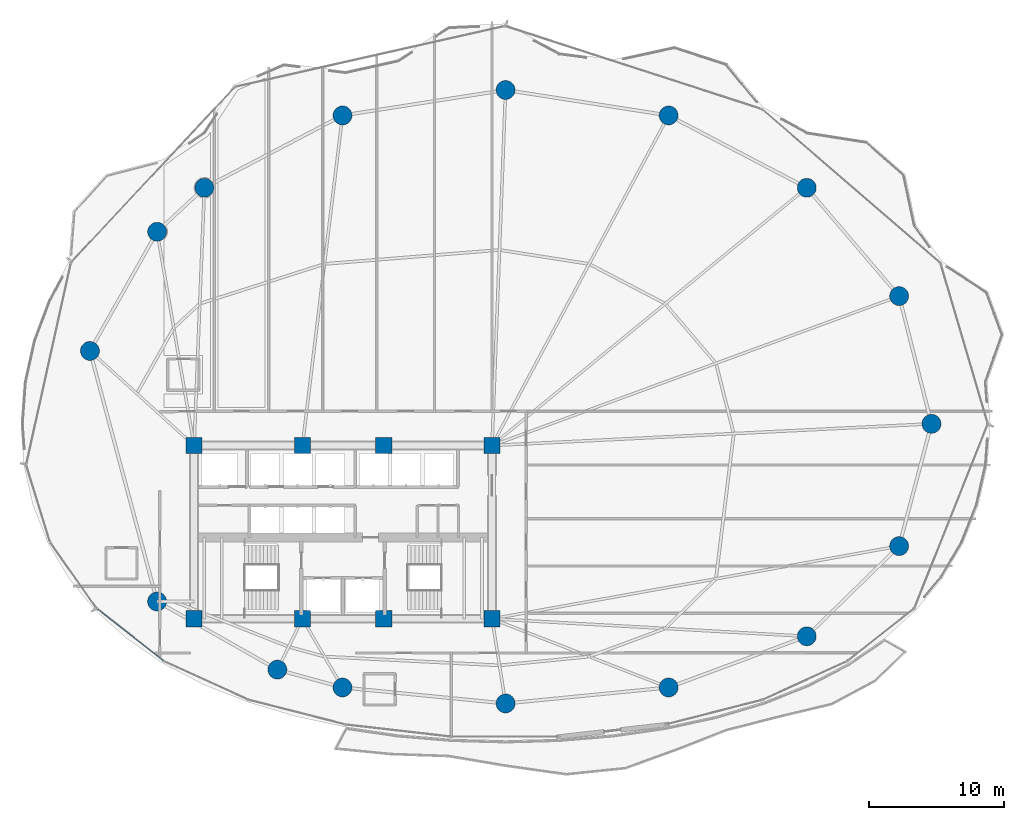
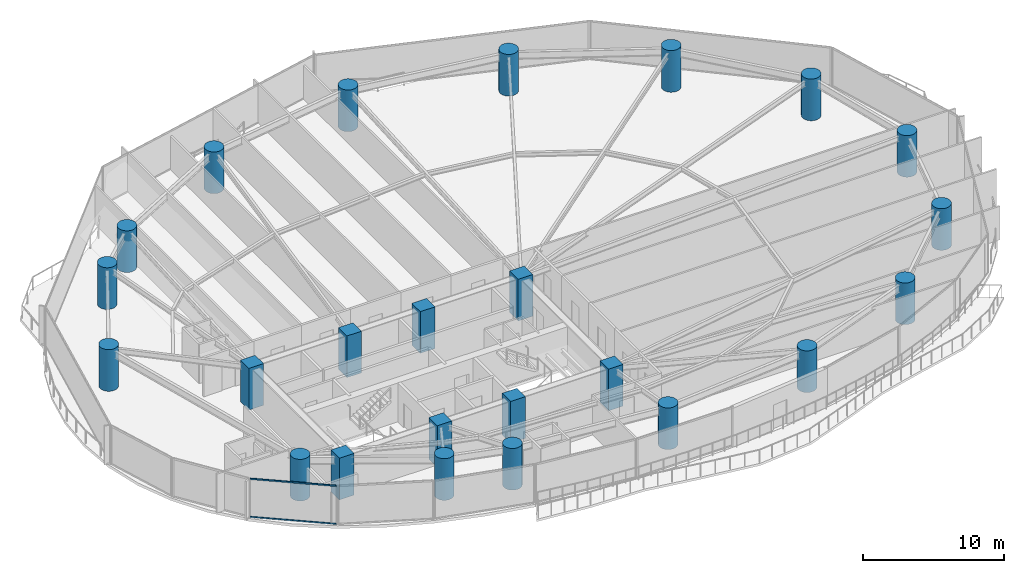
# One storey, part 1 of 33: 24 columns, 2 members, 1 element without a shape of its own.
"""IFC4 building model written with IfcOpenShell, lengths in metres."""

from ifc_helpers import new_model, si_unit, direction, frame, origin, origin_2d, place, context, subcontext, project, spatial, rectangle, hollow_rectangle, circle, extrude, material, layer, layer_set, material_profile, profile_set, type_object, element, aggregate, save


model = new_model("IFC4")

# Units and contexts
model_context = context("Model", 3, precision=1e-05, world=origin(), true_north=direction((0.0, 1.0)))
body_context = subcontext(model_context, "Body", "Model", "MODEL_VIEW")
ifc_project = project(units=[si_unit("LENGTHUNIT", "METRE"), si_unit("AREAUNIT", "SQUARE_METRE"), si_unit("VOLUMEUNIT", "CUBIC_METRE"), si_unit("PLANEANGLEUNIT", "RADIAN"), si_unit("MASSUNIT", "GRAM", prefix="KILO")], contexts=[model_context])

# Site, building, storey
site_placement = place(None, origin())
site = spatial("IfcSite", under=ifc_project, at=site_placement, CompositionType="ELEMENT")
building_placement = place(site_placement, origin())
building = spatial("IfcBuilding", under=site, at=building_placement, Name="Kazevale Care Tower and Concert Hall", CompositionType="ELEMENT")
storey_placement = place(building_placement, frame((0.0, 0.0, 31.199951171875)))
storey = spatial("IfcBuildingStorey", under=building, at=storey_placement, Name="L07", CompositionType="ELEMENT", Elevation=31.199951171875)

# Columns
ifc_material_1 = material(Name="Concrete C70", Category="concrete")
ifc_material_profile_1 = material_profile(ifc_material_1, rectangle(XDim=1.199951171875, YDim=1.199951171875, at=origin_2d()), Name="RC-SQ1200")
ifc_profile_set_1 = profile_set([ifc_material_profile_1], Name="Concrete C70")
column_type_1 = type_object("IfcColumnType", Name="Core Column SQ1200 C70", PredefinedType="COLUMN", material=ifc_profile_set_1)
for number, where, z_axis, x_axis, name in (
    (1, (22.0, 23.60009765625, 0.0), (0.0, 0.0, 1.0), (1.0, 0.0, 0.0), "col:L07:CC-01"),
    (2, (30.0, 23.60009765625, 0.0), (0.0, 0.0, 1.0), (1.0, 0.0, 0.0), "col:L07:CC-02"),
    (3, (36.0, 23.60009765625, 0.0), (0.0, 0.0, 1.0), (1.0, 0.0, 0.0), "col:L07:CC-03"),
    (4, (44.0, 23.60009765625, 0.0), (0.0, 0.0, 1.0), (1.0, 0.0, 0.0), "col:L07:CC-04"),
    (5, (44.0, 36.39990234375, 0.0), (0.0, 0.0, 1.0), (1.0, 0.0, 0.0), "col:L07:CC-05"),
    (6, (36.0, 36.39990234375, 0.0), (0.0, 0.0, 1.0), (1.0, 0.0, 0.0), "col:L07:CC-06"),
    (7, (30.0, 36.39990234375, 0.0), (0.0, 0.0, 1.0), (1.0, 0.0, 0.0), "col:L07:CC-07"),
    (8, (22.0, 36.39990234375, 0.0), (0.0, 0.0, 1.0), (1.0, 0.0, 0.0), "col:L07:CC-08"),
):
    element("IfcColumn", number, at=place(storey_placement, frame(where, z_axis=z_axis, x_axis=x_axis)), inside=storey, type_object=column_type_1, Name=name, PredefinedType="COLUMN", context=body_context, shape_type="SweptSolid", body=[
        extrude(rectangle(XDim=1.199951171875, YDim=1.199951171875, at=origin_2d()), origin(), (0.0, 0.0, 1.0), 3.60009765625),
    ])
ifc_material_profile_2 = material_profile(ifc_material_1, circle(Radius=0.699951171875, at=origin_2d()), Name="RC-CIR1400")
ifc_profile_set_2 = profile_set([ifc_material_profile_2], Name="Concrete C70")
column_type_2 = type_object("IfcColumnType", Name="Perimeter Column CIR1400 C70", PredefinedType="COLUMN", material=ifc_profile_set_2)
for number, where, z_axis, x_axis, name in (
    (9, (76.449951171875, 38.0, 0.0), (0.0, 0.0, 1.0), (1.0, 0.0, 0.0), "col:L07:PC-01"),
    (10, (74.06005859375, 47.429931640625, 0.0), (0.0, 0.0, 1.0), (1.0, 0.0, 0.0), "col:L07:PC-02"),
    (11, (67.239990234375, 55.429931640625, 0.0), (0.0, 0.0, 1.0), (1.0, 0.0, 0.0), "col:L07:PC-03"),
    (12, (57.0400390625, 60.77001953125, 0.0), (0.0, 0.0, 1.0), (1.0, 0.0, 0.0), "col:L07:PC-04"),
    (13, (45.0, 62.64990234375, 0.0), (0.0, 0.0, 1.0), (1.0, 0.0, 0.0), "col:L07:PC-05"),
    (14, (32.9599609375, 60.77001953125, 0.0), (0.0, 0.0, 1.0), (1.0, 0.0, 0.0), "col:L07:PC-06"),
    (15, (22.760009765625, 55.429931640625, 0.0), (0.0, 0.0, 1.0), (1.0, 0.0, 0.0), "col:L07:PC-07"),
    (16, (19.27001953125, 52.179931640625, 0.0), (0.0, 0.0, 1.0), (1.0, 0.0, 0.0), "col:L07:PC-08"),
    (17, (14.31005859375, 43.3798828125, 0.0), (0.0, 0.0, 1.0), (1.0, 0.0, 0.0), "col:L07:PC-09"),
    (18, (19.27001953125, 24.8798828125, 0.0), (0.0, 0.0, 1.0), (1.0, 0.0, 0.0), "col:L07:PC-10"),
    (19, (28.14990234375, 19.85009765625, 0.0), (0.0, 0.0, 1.0), (1.0, 0.0, 0.0), "col:L07:PC-11"),
    (20, (32.9599609375, 18.530029296875, 0.0), (0.0, 0.0, 1.0), (1.0, 0.0, 0.0), "col:L07:PC-12"),
    (21, (45.0, 17.35009765625, 0.0), (0.0, 0.0, 1.0), (1.0, 0.0, 0.0), "col:L07:PC-13"),
    (22, (57.0400390625, 18.530029296875, 0.0), (0.0, 0.0, 1.0), (1.0, 0.0, 0.0), "col:L07:PC-14"),
    (23, (67.239990234375, 22.31005859375, 0.0), (0.0, 0.0, 1.0), (1.0, 0.0, 0.0), "col:L07:PC-15"),
    (24, (74.06005859375, 28.969970703125, 0.0), (0.0, 0.0, 1.0), (1.0, 0.0, 0.0), "col:L07:PC-16"),
):
    element("IfcColumn", number, at=place(storey_placement, frame(where, z_axis=z_axis, x_axis=x_axis)), inside=storey, type_object=column_type_2, Name=name, PredefinedType="COLUMN", context=body_context, shape_type="SweptSolid", body=[
        extrude(circle(Radius=0.699951171875, at=origin_2d()), origin(), (0.0, 0.0, 1.0), 3.60009765625),
    ])

# Curtain wall, members
ifc_material_2 = material(Name="Aluminium 6063-T6 and Low-E Glass", Category="aluminium")
ifc_layer = layer(ifc_material_2, 0.179931640625)
ifc_layer_set = layer_set([ifc_layer], Name="Aluminium 6063-T6 and Low-E Glass")
curtain_wall_type = type_object("IfcCurtainWallType", Name="Sheltered Concave Balcony Curtain Wall CW-5", PredefinedType="NOTDEFINED", material=ifc_layer_set)
curtain_wall_placement = place(storey_placement, origin())
curtain_wall = element("IfcCurtainWall", 25, at=curtain_wall_placement, inside=storey, type_object=curtain_wall_type, Name="cw:L07:f10", PredefinedType="NOTDEFINED")
ifc_material_3 = material(Name="Aluminium 6063-T6", Category="aluminium")
ifc_material_profile_3 = material_profile(ifc_material_3, hollow_rectangle(XDim=0.074951171875, YDim=0.1201171875, WallThickness=0.00390625, at=origin_2d()), Name="ALU75x120x4")
ifc_profile_set_3 = profile_set([ifc_material_profile_3], Name="Aluminium 6063-T6")
member_type = type_object("IfcMemberType", Name="CW-5 Transom ALU75x120x4", PredefinedType="USERDEFINED", material=ifc_profile_set_3)
member_1_placement = place(storey_placement, frame((19.718994140625, 20.513427734375, 0.03759765625), z_axis=(-0.78633897536, 0.617795286344, 0.0), x_axis=(-0.617795286344, -0.78633897536, 0.0)))
member_1 = element("IfcMember", 26, at=member_1_placement, type_object=member_type, Name="CW-5 transom 1.1", ObjectType="TRANSOM", PredefinedType="USERDEFINED", context=body_context, shape_type="SweptSolid", body=[
    extrude(hollow_rectangle(XDim=0.074951171875, YDim=0.1201171875, WallThickness=0.00390625, at=origin_2d()), origin(), (0.0, 0.0, 1.0), 6.15771484375),
])
member_2_placement = place(storey_placement, frame((19.718994140625, 20.513427734375, 3.322509765625), z_axis=(-0.78633897536, 0.617795286344, 0.0), x_axis=(-0.617795286344, -0.78633897536, 0.0)))
member_2 = element("IfcMember", 27, at=member_2_placement, type_object=member_type, Name="CW-5 transom 1.2", ObjectType="TRANSOM", PredefinedType="USERDEFINED", context=body_context, shape_type="SweptSolid", body=[
    extrude(hollow_rectangle(XDim=0.074951171875, YDim=0.1201171875, WallThickness=0.00390625, at=origin_2d()), origin(), (0.0, 0.0, 1.0), 6.15771484375),
])
aggregate(curtain_wall, [member_1, member_2])

save(model, "model.ifc")
